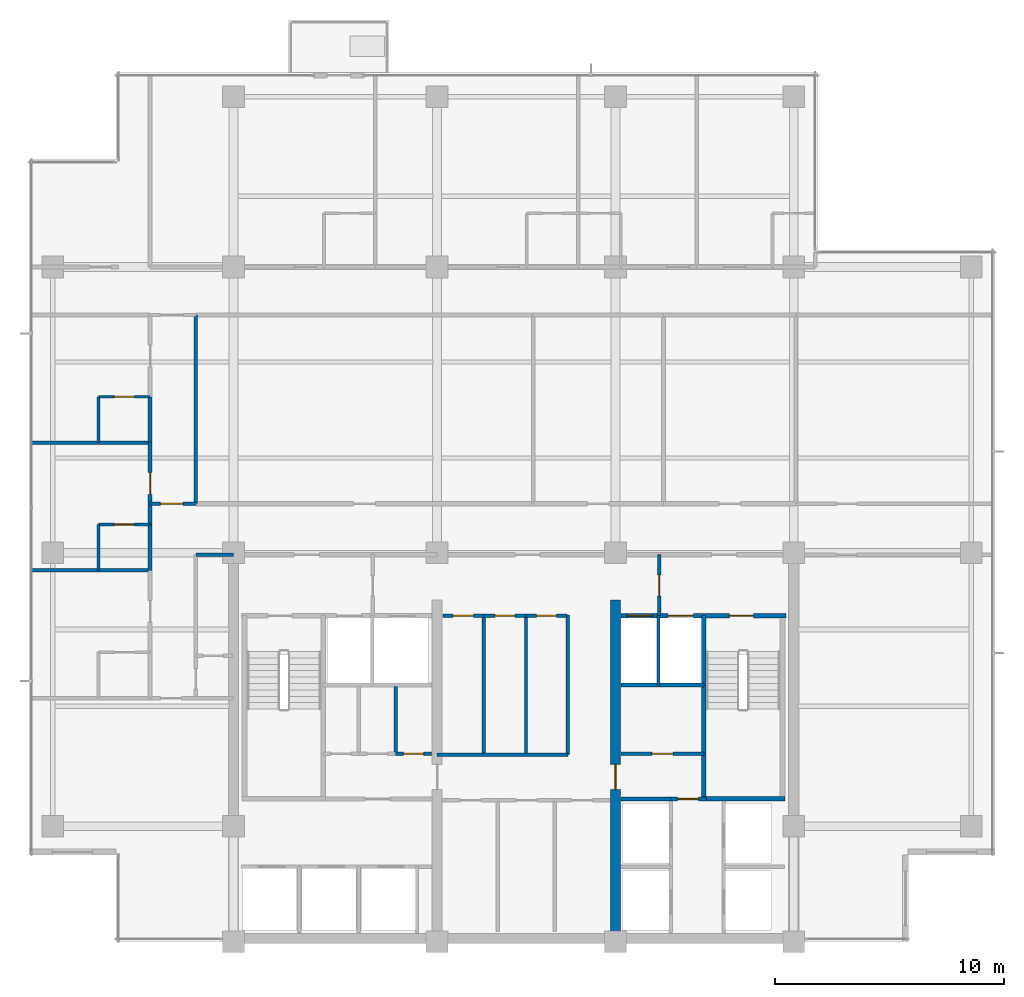
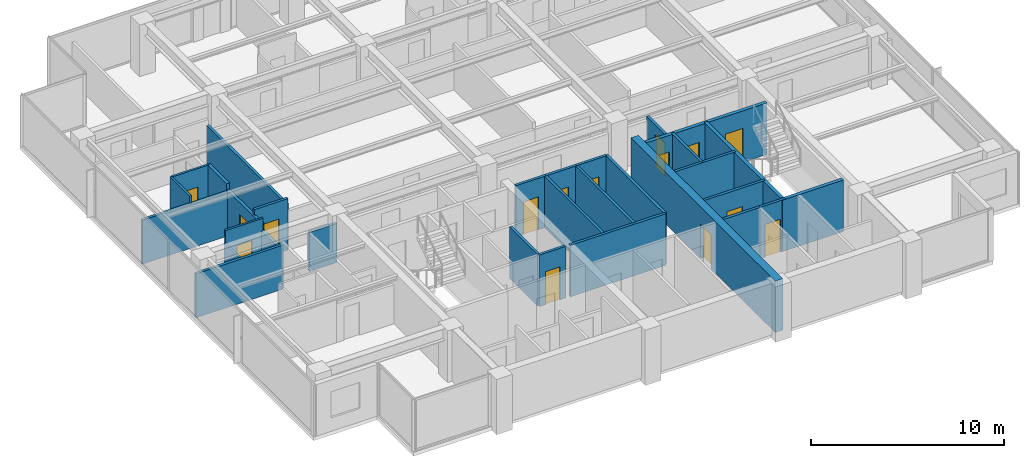
# One storey, part 8 of 14: 31 walls, 15 doors, 15 openings.
"""IFC4 building model written with IfcOpenShell, lengths in metres."""

from ifc_helpers import new_model, si_unit, direction, frame, frame_2d, origin, place, context, subcontext, project, spatial, rectangle, extrude, material, layer, layer_set, type_object, element, fill, save


model = new_model("IFC4")

# Units and contexts
model_context = context("Model", 3, precision=1e-05, world=origin(), true_north=direction((0.0, 1.0)))
body_context = subcontext(model_context, "Body", "Model", "MODEL_VIEW")
ifc_project = project(units=[si_unit("LENGTHUNIT", "METRE"), si_unit("AREAUNIT", "SQUARE_METRE"), si_unit("VOLUMEUNIT", "CUBIC_METRE"), si_unit("PLANEANGLEUNIT", "RADIAN"), si_unit("MASSUNIT", "GRAM", prefix="KILO")], contexts=[model_context])

# Site, building, storey
site_placement = place(None, origin())
site = spatial("IfcSite", under=ifc_project, at=site_placement, CompositionType="ELEMENT")
building_placement = place(site_placement, origin())
building = spatial("IfcBuilding", under=site, at=building_placement, Name="Qalmaran Belvedere Hotel", CompositionType="ELEMENT")
storey_placement = place(building_placement, frame((0.0, 0.0, 200.39990234375)))
storey = spatial("IfcBuildingStorey", under=building, at=storey_placement, Name="L50", CompositionType="ELEMENT", Elevation=200.39990234375)

# Wall, opening, door
ifc_material_1 = material(Name="Concrete C50/60", Category="concrete")
ifc_layer_1 = layer(ifc_material_1, 0.449951171875, Name="Concrete C50/60")
ifc_layer_set_1 = layer_set([ifc_layer_1], Name="Concrete C50/60")
wall_type_1 = type_object("IfcWallType", Name="WL-CORE-450-C50", PredefinedType="SHEAR", material=ifc_layer_set_1)
wall_1_placement = place(storey_placement, frame((37.0, 3.5, 0.0), z_axis=(0.0, 0.0, 1.0), x_axis=(0.0, 1.0, 0.0)))
wall_1 = element("IfcWall", 1, at=wall_1_placement, inside=storey, type_object=wall_type_1, Name="L50 Core East Spine Shear Wall", PredefinedType="SHEAR", context=body_context, shape_type="SweptSolid", body=[
    extrude(rectangle(XDim=14.949951171875, YDim=0.449951171875, at=frame_2d((7.47509765625, 0.0))), origin(), (0.0, 0.0, 1.0), 3.260009765625),
])
opening_1_placement = place(wall_1_placement, frame((6.64990234375, 0.0, 0.0)))
opening_1 = element("IfcOpeningElement", 2, at=opening_1_placement, cuts=wall_1, Name="Opening FD90", PredefinedType="OPENING", context=body_context, shape_type="SweptSolid", body=[
    extrude(rectangle(XDim=1.10009765625, YDim=2.14990234375, at=frame_2d((0.550048828125, 1.074951171875))), frame((0.0, 0.23486328125, 0.0), z_axis=(0.0, -1.0, 0.0), x_axis=(1.0, 0.0, 0.0)), (0.0, 0.0, 1.0), 0.469970703125),
])
ifc_material_2 = material(Name="Steel S355JR", Category="steel")
door_type_1 = type_object("IfcDoorType", Name="DR-FD90-1100X2150", OperationType="NOTDEFINED", PredefinedType="DOOR", material=ifc_material_2)
door_1_placement = place(opening_1_placement, origin())
door_1 = element("IfcDoor", 3, at=door_1_placement, inside=storey, type_object=door_type_1, Name="L50 Core East Cross-Lobby Door", OperationType="SINGLE_SWING_RIGHT", OverallHeight=2.14990234375, OverallWidth=1.10009765625, PredefinedType="DOOR", context=body_context, shape_type="SweptSolid", body=[
    extrude(rectangle(XDim=1.10009765625, YDim=2.14990234375, at=frame_2d((0.550048828125, 1.074951171875))), frame((0.0, 0.02490234375, 0.0), z_axis=(0.0, -1.0, 0.0), x_axis=(1.0, 0.0, 0.0)), (0.0, 0.0, 1.0), 0.050048828125),
])
fill(opening_1, door_1)

ifc_material_3 = material(Name="Moisture-Resistant Gypsum")
ifc_layer_2 = layer(ifc_material_3, 0.1201171875, Name="Moisture-Resistant Gypsum")
ifc_layer_set_2 = layer_set([ifc_layer_2], Name="Moisture-Resistant Gypsum")
wall_type_2 = type_object("IfcWallType", Name="WL-INT-120-BATH", PredefinedType="PARTITIONING", material=ifc_layer_set_2)
wall_2_placement = place(storey_placement, frame((14.39990234375, 21.743408203125, 0.0), z_axis=(0.0, 0.0, 1.0), x_axis=(1.0, 0.0, 0.0)))
wall_2 = element("IfcWall", 4, at=wall_2_placement, inside=storey, type_object=wall_type_2, Name="L50 Partition WL-L50-WBN01", PredefinedType="PARTITIONING", context=body_context, shape_type="SweptSolid", body=[
    extrude(rectangle(XDim=2.25, YDim=0.1201171875, at=frame_2d((1.125, 0.0))), origin(), (0.0, 0.0, 1.0), 3.260009765625),
])
opening_2_placement = place(wall_2_placement, frame((1.56494140625, 0.0, 0.0), z_axis=(0.0, 0.0, 1.0), x_axis=(-1.0, 0.0, 0.0)))
opening_2 = element("IfcOpeningElement", 5, at=opening_2_placement, cuts=wall_2, Name="Opening D-BATH", PredefinedType="OPENING", context=body_context, shape_type="SweptSolid", body=[
    extrude(rectangle(XDim=0.8798828125, YDim=2.080078125, at=frame_2d((0.43994140625, 1.0400390625))), frame((0.0, 0.070068359375, 0.0), z_axis=(0.0, -1.0, 0.0), x_axis=(1.0, 0.0, 0.0)), (0.0, 0.0, 1.0), 0.14013671875),
])
ifc_material_4 = material(Name="Engineered Oak Veneer")
door_type_2 = type_object("IfcDoorType", Name="DR-INT-BATH-880X2080", OperationType="NOTDEFINED", PredefinedType="DOOR", material=ifc_material_4)
door_2_placement = place(opening_2_placement, origin())
door_2 = element("IfcDoor", 6, at=door_2_placement, inside=storey, type_object=door_type_2, Name="L50 W Ensuite Door 02", OperationType="SINGLE_SWING_LEFT", OverallHeight=2.080078125, OverallWidth=0.8798828125, PredefinedType="DOOR", context=body_context, shape_type="SweptSolid", body=[
    extrude(rectangle(XDim=0.8798828125, YDim=2.080078125, at=frame_2d((0.43994140625, 1.0400390625))), frame((0.0, 0.02490234375, 0.0), z_axis=(0.0, -1.0, 0.0), x_axis=(1.0, 0.0, 0.0)), (0.0, 0.0, 1.0), 0.050048828125),
])
fill(opening_2, door_2)

# Wall
wall_3_placement = place(storey_placement, frame((14.39990234375, 19.7333984375, 0.0), z_axis=(0.0, 0.0, 1.0), x_axis=(0.0, 1.0, 0.0)))
element("IfcWall", 7, at=wall_3_placement, inside=storey, type_object=wall_type_2, Name="L50 Partition WL-L50-WBS01", PredefinedType="PARTITIONING", context=body_context, shape_type="SweptSolid", body=[
    extrude(rectangle(XDim=2.010009765625, YDim=0.1201171875, at=frame_2d((1.0048828125, 0.0))), origin(), (0.0, 0.0, 1.0), 2.47216796875),
])

# Wall, opening, door
wall_4_placement = place(storey_placement, frame((14.39990234375, 27.32666015625, 0.0), z_axis=(0.0, 0.0, 1.0), x_axis=(1.0, 0.0, 0.0)))
wall_4 = element("IfcWall", 8, at=wall_4_placement, inside=storey, type_object=wall_type_2, Name="L50 Partition WL-L50-WBN02", PredefinedType="PARTITIONING", context=body_context, shape_type="SweptSolid", body=[
    extrude(rectangle(XDim=2.25, YDim=0.1201171875, at=frame_2d((1.125, 0.0))), origin(), (0.0, 0.0, 1.0), 3.260009765625),
])
opening_3_placement = place(wall_4_placement, frame((1.56494140625, 0.0, 0.0), z_axis=(0.0, 0.0, 1.0), x_axis=(-1.0, 0.0, 0.0)))
opening_3 = element("IfcOpeningElement", 9, at=opening_3_placement, cuts=wall_4, Name="Opening D-BATH", PredefinedType="OPENING", context=body_context, shape_type="SweptSolid", body=[
    extrude(rectangle(XDim=0.8798828125, YDim=2.080078125, at=frame_2d((0.43994140625, 1.0400390625))), frame((0.0, 0.070068359375, 0.0), z_axis=(0.0, -1.0, 0.0), x_axis=(1.0, 0.0, 0.0)), (0.0, 0.0, 1.0), 0.14013671875),
])
door_3_placement = place(opening_3_placement, origin())
door_3 = element("IfcDoor", 10, at=door_3_placement, inside=storey, type_object=door_type_2, Name="L50 W Ensuite Door 03", OperationType="SINGLE_SWING_LEFT", OverallHeight=2.080078125, OverallWidth=0.8798828125, PredefinedType="DOOR", context=body_context, shape_type="SweptSolid", body=[
    extrude(rectangle(XDim=0.8798828125, YDim=2.080078125, at=frame_2d((0.43994140625, 1.0400390625))), frame((0.0, 0.02490234375, 0.0), z_axis=(0.0, -1.0, 0.0), x_axis=(1.0, 0.0, 0.0)), (0.0, 0.0, 1.0), 0.050048828125),
])
fill(opening_3, door_3)

# Walls
wall_5_placement = place(storey_placement, frame((14.39990234375, 25.316650390625, 0.0), z_axis=(0.0, 0.0, 1.0), x_axis=(0.0, 1.0, 0.0)))
element("IfcWall", 11, at=wall_5_placement, inside=storey, type_object=wall_type_2, Name="L50 Partition WL-L50-WBS02", PredefinedType="PARTITIONING", context=body_context, shape_type="SweptSolid", body=[
    extrude(rectangle(XDim=2.010009765625, YDim=0.1201171875, at=frame_2d((1.0048828125, 0.0))), origin(), (0.0, 0.0, 1.0), 3.260009765625),
])
ifc_material_5 = material(Name="Gypsum Stud Partition")
ifc_layer_3 = layer(ifc_material_5, 0.14990234375, Name="Gypsum Stud Partition")
ifc_layer_set_3 = layer_set([ifc_layer_3], Name="Gypsum Stud Partition")
wall_type_3 = type_object("IfcWallType", Name="WL-INT-150-EI120", PredefinedType="PARTITIONING", material=ifc_layer_set_3)
wall_6_placement = place(storey_placement, frame((38.8798828125, 14.719970703125, 0.0), z_axis=(0.0, 0.0, 1.0), x_axis=(0.0, 1.0, 0.0)))
element("IfcWall", 12, at=wall_6_placement, inside=storey, type_object=wall_type_3, Name="L50 Partition WL-FF2M-L50", PredefinedType="PARTITIONING", context=body_context, shape_type="SweptSolid", body=[
    extrude(rectangle(XDim=3.0400390625, YDim=0.14990234375, at=frame_2d((1.52001953125, 0.0))), origin(), (0.0, 0.0, 1.0), 3.260009765625),
])
ifc_layer_4 = layer(ifc_material_5, 0.14990234375, Name="Gypsum Stud Partition")
ifc_layer_set_4 = layer_set([ifc_layer_4], Name="Gypsum Stud Partition")
wall_type_4 = type_object("IfcWallType", Name="WL-INT-150-EI60", PredefinedType="PARTITIONING", material=ifc_layer_set_4)
wall_7_placement = place(storey_placement, frame((27.38916015625, 11.719970703125, 0.0), z_axis=(0.0, 0.0, 1.0), x_axis=(0.0, 1.0, 0.0)))
element("IfcWall", 13, at=wall_7_placement, inside=storey, type_object=wall_type_4, Name="L50 Partition WL-L50-KWV2", PredefinedType="PARTITIONING", context=body_context, shape_type="SweptSolid", body=[
    extrude(rectangle(XDim=2.929931640625, YDim=0.14990234375, at=frame_2d((1.46484375, 0.0))), origin(), (0.0, 0.0, 1.0), 3.260009765625),
])
for number, where, z_axis, x_axis, name in (
    (14, (31.241943359375, 11.739990234375, 0.0), (0.0, 0.0, 1.0), (0.0, 1.0, 0.0), "L50 Partition WL-L50-KPMV1"),
    (15, (33.088134765625, 11.739990234375, 0.0), (0.0, 0.0, 1.0), (0.0, 1.0, 0.0), "L50 Partition WL-L50-KPMV2"),
):
    element("IfcWall", number, at=place(storey_placement, frame(where, z_axis=z_axis, x_axis=x_axis)), inside=storey, type_object=wall_type_4, Name=name, PredefinedType="PARTITIONING", context=body_context, shape_type="SweptSolid", body=[
        extrude(rectangle(XDim=6.010009765625, YDim=0.14990234375, at=frame_2d((3.0048828125, 0.0))), origin(), (0.0, 0.0, 1.0), 3.260009765625),
    ])

# Wall, opening, door
wall_8_placement = place(storey_placement, frame((16.64990234375, 22.64990234375, 0.0), z_axis=(0.0, 0.0, 1.0), x_axis=(1.0, 0.0, 0.0)))
wall_8 = element("IfcWall", 16, at=wall_8_placement, inside=storey, type_object=wall_type_4, Name="L50 Partition WL-L50-XCW1", PredefinedType="PARTITIONING", context=body_context, shape_type="SweptSolid", body=[
    extrude(rectangle(XDim=2.0, YDim=0.14990234375, at=frame_2d((1.0, 0.0))), origin(), (0.0, 0.0, 1.0), 3.260009765625),
])
opening_4_placement = place(wall_8_placement, frame((0.449951171875, 0.0, 0.0)))
opening_4 = element("IfcOpeningElement", 17, at=opening_4_placement, cuts=wall_8, Name="Opening FD90B", PredefinedType="OPENING", context=body_context, shape_type="SweptSolid", body=[
    extrude(rectangle(XDim=1.0, YDim=2.14990234375, at=frame_2d((0.5, 1.074951171875))), frame((0.0, 0.0849609375, 0.0), z_axis=(0.0, -1.0, 0.0), x_axis=(1.0, 0.0, 0.0)), (0.0, 0.0, 1.0), 0.169921875),
])
door_type_3 = type_object("IfcDoorType", Name="DR-FD90B-1000X2150", OperationType="NOTDEFINED", PredefinedType="DOOR", material=ifc_material_2)
door_4_placement = place(opening_4_placement, origin())
door_4 = element("IfcDoor", 18, at=door_4_placement, inside=storey, type_object=door_type_3, Name="L50 West Corridor Smoke Door S", OperationType="SINGLE_SWING_RIGHT", OverallHeight=2.14990234375, OverallWidth=1.0, PredefinedType="DOOR", context=body_context, shape_type="SweptSolid", body=[
    extrude(rectangle(XDim=1.0, YDim=2.14990234375, at=frame_2d((0.5, 1.074951171875))), frame((0.0, 0.02490234375, 0.0), z_axis=(0.0, -1.0, 0.0), x_axis=(1.0, 0.0, 0.0)), (0.0, 0.0, 1.0), 0.050048828125),
])
fill(opening_4, door_4)

ifc_layer_5 = layer(ifc_material_5, 0.159912109375, Name="Gypsum Stud Partition")
ifc_layer_set_5 = layer_set([ifc_layer_5], Name="Gypsum Stud Partition")
wall_type_5 = type_object("IfcWallType", Name="WL-INT-160-EI120", PredefinedType="PARTITIONING", material=ifc_layer_set_5)
wall_9_placement = place(storey_placement, frame((38.919921875, 17.760009765625, 0.0), z_axis=(0.0, 0.0, 1.0), x_axis=(0.0, 1.0, 0.0)))
wall_9 = element("IfcWall", 19, at=wall_9_placement, inside=storey, type_object=wall_type_5, Name="L50 Partition WL-FFSV2-L50", PredefinedType="PARTITIONING", context=body_context, shape_type="SweptSolid", body=[
    extrude(rectangle(XDim=2.659912109375, YDim=0.159912109375, at=frame_2d((1.330078125, 0.0))), origin(), (0.0, 0.0, 1.0), 2.7060546875),
])
opening_5_placement = place(wall_9_placement, frame((1.77001953125, 0.0, 0.0), z_axis=(0.0, 0.0, 1.0), x_axis=(-1.0, 0.0, 0.0)))
opening_5 = element("IfcOpeningElement", 20, at=opening_5_placement, cuts=wall_9, Name="Opening FD60S1", PredefinedType="OPENING", context=body_context, shape_type="SweptSolid", body=[
    extrude(rectangle(XDim=0.919921875, YDim=2.080078125, at=frame_2d((0.4599609375, 1.0400390625))), frame((0.0, 0.08984375, 0.0), z_axis=(0.0, -1.0, 0.0), x_axis=(1.0, 0.0, 0.0)), (0.0, 0.0, 1.0), 0.179931640625),
])
door_type_4 = type_object("IfcDoorType", Name="DR-FD60S-920X2080", OperationType="NOTDEFINED", PredefinedType="DOOR", material=ifc_material_4)
door_5_placement = place(opening_5_placement, origin())
door_5 = element("IfcDoor", 21, at=door_5_placement, inside=storey, type_object=door_type_4, Name="L50 Service Lobby East Door", OperationType="SINGLE_SWING_RIGHT", OverallHeight=2.080078125, OverallWidth=0.919921875, PredefinedType="DOOR", context=body_context, shape_type="SweptSolid", body=[
    extrude(rectangle(XDim=0.919921875, YDim=2.080078125, at=frame_2d((0.4599609375, 1.0400390625))), frame((0.0, 0.02490234375, 0.0), z_axis=(0.0, -1.0, 0.0), x_axis=(1.0, 0.0, 0.0)), (0.0, 0.0, 1.0), 0.050048828125),
])
fill(opening_5, door_5)

# Walls
wall_10_placement = place(storey_placement, frame((37.25, 14.719970703125, 0.0), z_axis=(0.0, 0.0, 1.0), x_axis=(1.0, 0.0, 0.0)))
element("IfcWall", 22, at=wall_10_placement, inside=storey, type_object=wall_type_5, Name="L50 Partition WL-FF2S-L50", PredefinedType="PARTITIONING", context=body_context, shape_type="SweptSolid", body=[
    extrude(rectangle(XDim=3.610107421875, YDim=0.159912109375, at=frame_2d((1.80517578125, 0.0))), origin(), (0.0, 0.0, 1.0), 3.260009765625),
])
wall_11_placement = place(storey_placement, frame((37.25, 9.739990234375, 0.0), z_axis=(0.0, 0.0, 1.0), x_axis=(1.0, 0.0, 0.0)))
element("IfcWall", 23, at=wall_11_placement, inside=storey, type_object=wall_type_5, Name="L50 Partition WL-PHNW-L50", PredefinedType="PARTITIONING", context=body_context, shape_type="SweptSolid", body=[
    extrude(rectangle(XDim=2.169921875, YDim=0.159912109375, at=frame_2d((1.0849609375, 0.0))), origin(), (0.0, 0.0, 1.0), 3.260009765625),
])

# Wall, opening, door
wall_12_placement = place(storey_placement, frame((39.419921875, 9.739990234375, 0.0), z_axis=(0.0, 0.0, 1.0), x_axis=(1.0, 0.0, 0.0)))
wall_12 = element("IfcWall", 24, at=wall_12_placement, inside=storey, type_object=wall_type_5, Name="L50 Partition WL-PHNL-L50", PredefinedType="PARTITIONING", context=body_context, shape_type="SweptSolid", body=[
    extrude(rectangle(XDim=1.56005859375, YDim=0.159912109375, at=frame_2d((0.780029296875, 0.0))), origin(), (0.0, 0.0, 1.0), 3.260009765625),
])
opening_6_placement = place(wall_12_placement, frame((0.300048828125, 0.0, 0.0)))
opening_6 = element("IfcOpeningElement", 25, at=opening_6_placement, cuts=wall_12, Name="Opening FD60S1", PredefinedType="OPENING", context=body_context, shape_type="SweptSolid", body=[
    extrude(rectangle(XDim=0.919921875, YDim=2.080078125, at=frame_2d((0.4599609375, 1.0400390625))), frame((0.0, 0.08984375, 0.0), z_axis=(0.0, -1.0, 0.0), x_axis=(1.0, 0.0, 0.0)), (0.0, 0.0, 1.0), 0.179931640625),
])
door_6_placement = place(opening_6_placement, origin())
door_6 = element("IfcDoor", 26, at=door_6_placement, inside=storey, type_object=door_type_4, Name="L50 High-Rise Lift Lobby Passage Door", OperationType="SINGLE_SWING_LEFT", OverallHeight=2.080078125, OverallWidth=0.919921875, PredefinedType="DOOR", context=body_context, shape_type="SweptSolid", body=[
    extrude(rectangle(XDim=0.919921875, YDim=2.080078125, at=frame_2d((0.4599609375, 1.0400390625))), frame((0.0, 0.02490234375, 0.0), z_axis=(0.0, -1.0, 0.0), x_axis=(1.0, 0.0, 0.0)), (0.0, 0.0, 1.0), 0.050048828125),
])
fill(opening_6, door_6)

ifc_layer_6 = layer(ifc_material_5, 0.159912109375, Name="Gypsum Stud Partition")
ifc_layer_set_6 = layer_set([ifc_layer_6], Name="Gypsum Stud Partition")
wall_type_6 = type_object("IfcWallType", Name="WL-INT-160-EI60", PredefinedType="PARTITIONING", material=ifc_layer_set_6)
wall_13_placement = place(storey_placement, frame((27.38916015625, 11.719970703125, 0.0), z_axis=(0.0, 0.0, 1.0), x_axis=(1.0, 0.0, 0.0)))
wall_13 = element("IfcWall", 27, at=wall_13_placement, inside=storey, type_object=wall_type_6, Name="L50 Partition WL-L50-KWE3", PredefinedType="PARTITIONING", context=body_context, shape_type="SweptSolid", body=[
    extrude(rectangle(XDim=1.560791015625, YDim=0.159912109375, at=frame_2d((0.7802734375, 0.0))), origin(), (0.0, 0.0, 1.0), 3.260009765625),
])
opening_7_placement = place(wall_13_placement, frame((0.340576171875, 0.0, 0.0)))
opening_7 = element("IfcOpeningElement", 28, at=opening_7_placement, cuts=wall_13, Name="Opening FD60B", PredefinedType="OPENING", context=body_context, shape_type="SweptSolid", body=[
    extrude(rectangle(XDim=0.8798828125, YDim=2.080078125, at=frame_2d((0.43994140625, 1.0400390625))), frame((0.0, 0.08984375, 0.0), z_axis=(0.0, -1.0, 0.0), x_axis=(1.0, 0.0, 0.0)), (0.0, 0.0, 1.0), 0.179931640625),
])
door_type_5 = type_object("IfcDoorType", Name="DR-FD60B-880X2080", OperationType="NOTDEFINED", PredefinedType="DOOR", material=ifc_material_2)
door_7_placement = place(opening_7_placement, origin())
door_7 = element("IfcDoor", 29, at=door_7_placement, inside=storey, type_object=door_type_5, Name="L50 Telecom and IT Room Door", OperationType="SINGLE_SWING_RIGHT", OverallHeight=2.080078125, OverallWidth=0.8798828125, PredefinedType="DOOR", context=body_context, shape_type="SweptSolid", body=[
    extrude(rectangle(XDim=0.8798828125, YDim=2.080078125, at=frame_2d((0.43994140625, 1.0400390625))), frame((0.0, 0.02490234375, 0.0), z_axis=(0.0, -1.0, 0.0), x_axis=(1.0, 0.0, 0.0)), (0.0, 0.0, 1.0), 0.050048828125),
])
fill(opening_7, door_7)

wall_14_placement = place(storey_placement, frame((37.25, 11.719970703125, 0.0), z_axis=(0.0, 0.0, 1.0), x_axis=(1.0, 0.0, 0.0)))
wall_14 = element("IfcWall", 30, at=wall_14_placement, inside=storey, type_object=wall_type_6, Name="L50 Partition WL-L50-KEE1", PredefinedType="PARTITIONING", context=body_context, shape_type="SweptSolid", body=[
    extrude(rectangle(XDim=3.610107421875, YDim=0.159912109375, at=frame_2d((1.80517578125, 0.0))), origin(), (0.0, 0.0, 1.0), 3.260009765625),
])
opening_8_placement = place(wall_14_placement, frame((1.344970703125, 0.0, 0.0)))
opening_8 = element("IfcOpeningElement", 31, at=opening_8_placement, cuts=wall_14, Name="Opening FD60S1", PredefinedType="OPENING", context=body_context, shape_type="SweptSolid", body=[
    extrude(rectangle(XDim=0.919921875, YDim=2.080078125, at=frame_2d((0.4599609375, 1.0400390625))), frame((0.0, 0.08984375, 0.0), z_axis=(0.0, -1.0, 0.0), x_axis=(1.0, 0.0, 0.0)), (0.0, 0.0, 1.0), 0.179931640625),
])
door_8_placement = place(opening_8_placement, origin())
door_8 = element("IfcDoor", 32, at=door_8_placement, inside=storey, type_object=door_type_4, Name="L50 Guest Ice and Beverage Pantry Door", OperationType="SINGLE_SWING_LEFT", OverallHeight=2.080078125, OverallWidth=0.919921875, PredefinedType="DOOR", context=body_context, shape_type="SweptSolid", body=[
    extrude(rectangle(XDim=0.919921875, YDim=2.080078125, at=frame_2d((0.4599609375, 1.0400390625))), frame((0.0, 0.02490234375, 0.0), z_axis=(0.0, -1.0, 0.0), x_axis=(1.0, 0.0, 0.0)), (0.0, 0.0, 1.0), 0.050048828125),
])
fill(opening_8, door_8)

# Walls
wall_15_placement = place(storey_placement, frame((34.919921875, 11.679931640625, 0.0), z_axis=(0.0, 0.0, 1.0), x_axis=(0.0, 1.0, 0.0)))
element("IfcWall", 33, at=wall_15_placement, inside=storey, type_object=wall_type_6, Name="L50 Partition WL-CLLV-L50", PredefinedType="PARTITIONING", context=body_context, shape_type="SweptSolid", body=[
    extrude(rectangle(XDim=6.10009765625, YDim=0.159912109375, at=frame_2d((3.050048828125, 0.0))), origin(), (0.0, 0.0, 1.0), 3.260009765625),
])
wall_16_placement = place(storey_placement, frame((29.199951171875, 11.679931640625, 0.0), z_axis=(0.0, 0.0, 1.0), x_axis=(1.0, 0.0, 0.0)))
element("IfcWall", 34, at=wall_16_placement, inside=storey, type_object=wall_type_6, Name="L50 Partition WL-PMFS-L50", PredefinedType="PARTITIONING", context=body_context, shape_type="SweptSolid", body=[
    extrude(rectangle(XDim=5.719970703125, YDim=0.159912109375, at=frame_2d((2.85986328125, 0.0))), origin(), (0.0, 0.0, 1.0), 3.260009765625),
])

# Wall, opening, door
wall_17_placement = place(storey_placement, frame((29.449951171875, 17.75, 0.0), z_axis=(0.0, 0.0, 1.0), x_axis=(1.0, 0.0, 0.0)))
wall_17 = element("IfcWall", 35, at=wall_17_placement, inside=storey, type_object=wall_type_6, Name="L50 Partition WL-L50-KPME1", PredefinedType="PARTITIONING", context=body_context, shape_type="SweptSolid", body=[
    extrude(rectangle(XDim=1.7919921875, YDim=0.159912109375, at=frame_2d((0.89599609375, 0.0))), origin(), (0.0, 0.0, 1.0), 3.260009765625),
])
opening_9_placement = place(wall_17_placement, frame((1.3359375, 0.0, 0.0), z_axis=(0.0, 0.0, 1.0), x_axis=(-1.0, 0.0, 0.0)))
opening_9 = element("IfcOpeningElement", 36, at=opening_9_placement, cuts=wall_17, Name="Opening FD60B", PredefinedType="OPENING", context=body_context, shape_type="SweptSolid", body=[
    extrude(rectangle(XDim=0.8798828125, YDim=2.080078125, at=frame_2d((0.43994140625, 1.0400390625))), frame((0.0, 0.08984375, 0.0), z_axis=(0.0, -1.0, 0.0), x_axis=(1.0, 0.0, 0.0)), (0.0, 0.0, 1.0), 0.179931640625),
])
door_9_placement = place(opening_9_placement, origin())
door_9 = element("IfcDoor", 37, at=door_9_placement, inside=storey, type_object=door_type_5, Name="L50 Executive Butler Pantry Door", OperationType="SINGLE_SWING_LEFT", OverallHeight=2.080078125, OverallWidth=0.8798828125, PredefinedType="DOOR", context=body_context, shape_type="SweptSolid", body=[
    extrude(rectangle(XDim=0.8798828125, YDim=2.080078125, at=frame_2d((0.43994140625, 1.0400390625))), frame((0.0, 0.02490234375, 0.0), z_axis=(0.0, -1.0, 0.0), x_axis=(1.0, 0.0, 0.0)), (0.0, 0.0, 1.0), 0.050048828125),
])
fill(opening_9, door_9)

wall_18_placement = place(storey_placement, frame((31.241943359375, 17.75, 0.0), z_axis=(0.0, 0.0, 1.0), x_axis=(1.0, 0.0, 0.0)))
wall_18 = element("IfcWall", 38, at=wall_18_placement, inside=storey, type_object=wall_type_6, Name="L50 Partition WL-L50-KPME2", PredefinedType="PARTITIONING", context=body_context, shape_type="SweptSolid", body=[
    extrude(rectangle(XDim=1.84619140625, YDim=0.159912109375, at=frame_2d((0.923095703125, 0.0))), origin(), (0.0, 0.0, 1.0), 3.260009765625),
])
opening_10_placement = place(wall_18_placement, frame((1.363037109375, 0.0, 0.0), z_axis=(0.0, 0.0, 1.0), x_axis=(-1.0, 0.0, 0.0)))
opening_10 = element("IfcOpeningElement", 39, at=opening_10_placement, cuts=wall_18, Name="Opening FD60B", PredefinedType="OPENING", context=body_context, shape_type="SweptSolid", body=[
    extrude(rectangle(XDim=0.8798828125, YDim=2.080078125, at=frame_2d((0.43994140625, 1.0400390625))), frame((0.0, 0.08984375, 0.0), z_axis=(0.0, -1.0, 0.0), x_axis=(1.0, 0.0, 0.0)), (0.0, 0.0, 1.0), 0.179931640625),
])
door_10_placement = place(opening_10_placement, origin())
door_10 = element("IfcDoor", 40, at=door_10_placement, inside=storey, type_object=door_type_5, Name="L50 Floor Linen Supply Store Door", OperationType="SINGLE_SWING_RIGHT", OverallHeight=2.080078125, OverallWidth=0.8798828125, PredefinedType="DOOR", context=body_context, shape_type="SweptSolid", body=[
    extrude(rectangle(XDim=0.8798828125, YDim=2.080078125, at=frame_2d((0.43994140625, 1.0400390625))), frame((0.0, 0.02490234375, 0.0), z_axis=(0.0, -1.0, 0.0), x_axis=(1.0, 0.0, 0.0)), (0.0, 0.0, 1.0), 0.050048828125),
])
fill(opening_10, door_10)

wall_19_placement = place(storey_placement, frame((33.088134765625, 17.75, 0.0), z_axis=(0.0, 0.0, 1.0), x_axis=(1.0, 0.0, 0.0)))
wall_19 = element("IfcWall", 41, at=wall_19_placement, inside=storey, type_object=wall_type_6, Name="L50 Partition WL-L50-KPME3", PredefinedType="PARTITIONING", context=body_context, shape_type="SweptSolid", body=[
    extrude(rectangle(XDim=1.791748046875, YDim=0.159912109375, at=frame_2d((0.89599609375, 0.0))), origin(), (0.0, 0.0, 1.0), 3.260009765625),
])
opening_11_placement = place(wall_19_placement, frame((1.3359375, 0.0, 0.0), z_axis=(0.0, 0.0, 1.0), x_axis=(-1.0, 0.0, 0.0)))
opening_11 = element("IfcOpeningElement", 42, at=opening_11_placement, cuts=wall_19, Name="Opening FD60B", PredefinedType="OPENING", context=body_context, shape_type="SweptSolid", body=[
    extrude(rectangle(XDim=0.8798828125, YDim=2.080078125, at=frame_2d((0.43994140625, 1.0400390625))), frame((0.0, 0.08984375, 0.0), z_axis=(0.0, -1.0, 0.0), x_axis=(1.0, 0.0, 0.0)), (0.0, 0.0, 1.0), 0.179931640625),
])
door_11_placement = place(opening_11_placement, origin())
door_11 = element("IfcDoor", 43, at=door_11_placement, inside=storey, type_object=door_type_5, Name="L50 Core Tableware Store Door", OperationType="SINGLE_SWING_LEFT", OverallHeight=2.080078125, OverallWidth=0.8798828125, PredefinedType="DOOR", context=body_context, shape_type="SweptSolid", body=[
    extrude(rectangle(XDim=0.8798828125, YDim=2.080078125, at=frame_2d((0.43994140625, 1.0400390625))), frame((0.0, 0.02490234375, 0.0), z_axis=(0.0, -1.0, 0.0), x_axis=(1.0, 0.0, 0.0)), (0.0, 0.0, 1.0), 0.050048828125),
])
fill(opening_11, door_11)

# Walls
wall_20_placement = place(storey_placement, frame((18.64990234375, 20.419921875, 0.0), z_axis=(0.0, 0.0, 1.0), x_axis=(1.0, 0.0, 0.0)))
element("IfcWall", 44, at=wall_20_placement, inside=storey, type_object=wall_type_6, Name="L50 Partition WL-L50-WCLN", PredefinedType="PARTITIONING", context=body_context, shape_type="SweptSolid", body=[
    extrude(rectangle(XDim=1.650146484375, YDim=0.159912109375, at=frame_2d((0.8251953125, 0.0))), origin(), (0.0, 0.0, 1.0), 2.47216796875),
])
wall_21_placement = place(storey_placement, frame((18.64990234375, 22.64990234375, 0.0), z_axis=(0.0, 0.0, 1.0), x_axis=(0.0, 1.0, 0.0)))
element("IfcWall", 45, at=wall_21_placement, inside=storey, type_object=wall_type_6, Name="L50 Partition WL-L50-MIDVL", PredefinedType="PARTITIONING", context=body_context, shape_type="SweptSolid", body=[
    extrude(rectangle(XDim=8.25, YDim=0.159912109375, at=frame_2d((4.125, 0.0))), origin(), (0.0, 0.0, 1.0), 2.88720703125),
])
for number, where, z_axis, x_axis, name in (
    (46, (11.469970703125, 19.7333984375, 0.0), (0.0, 0.0, 1.0), (1.0, 0.0, 0.0), "L50 Partition WL-L50-WU00"),
    (47, (11.469970703125, 25.316650390625, 0.0), (0.0, 0.0, 1.0), (1.0, 0.0, 0.0), "L50 Partition WL-L50-WU01"),
):
    element("IfcWall", number, at=place(storey_placement, frame(where, z_axis=z_axis, x_axis=x_axis)), inside=storey, type_object=wall_type_6, Name=name, PredefinedType="PARTITIONING", context=body_context, shape_type="SweptSolid", body=[
        extrude(rectangle(XDim=5.179931640625, YDim=0.159912109375, at=frame_2d((2.58984375, 0.0))), origin(), (0.0, 0.0, 1.0), 2.781982421875),
    ])
ifc_layer_7 = layer(ifc_material_5, 0.179931640625, Name="Gypsum Stud Partition")
ifc_layer_set_7 = layer_set([ifc_layer_7], Name="Gypsum Stud Partition")
wall_type_7 = type_object("IfcWallType", Name="WL-INT-180-EI60", PredefinedType="PARTITIONING", material=ifc_layer_set_7)
wall_22_placement = place(storey_placement, frame((16.64990234375, 19.7333984375, 0.0), z_axis=(0.0, 0.0, 1.0), x_axis=(0.0, 1.0, 0.0)))
element("IfcWall", 48, at=wall_22_placement, inside=storey, type_object=wall_type_7, Name="L50 Partition WL-L50-WBC01", PredefinedType="PARTITIONING", context=body_context, shape_type="SweptSolid", body=[
    extrude(rectangle(XDim=2.010009765625, YDim=0.179931640625, at=frame_2d((1.0048828125, 0.0))), origin(), (0.0, 0.0, 1.0), 2.47216796875),
])

# Wall, opening, door
wall_23_placement = place(storey_placement, frame((16.64990234375, 21.743408203125, 0.0), z_axis=(0.0, 0.0, 1.0), x_axis=(0.0, 1.0, 0.0)))
wall_23 = element("IfcWall", 49, at=wall_23_placement, inside=storey, type_object=wall_type_7, Name="L50 Partition WL-L50-WEC01", PredefinedType="PARTITIONING", context=body_context, shape_type="SweptSolid", body=[
    extrude(rectangle(XDim=3.5732421875, YDim=0.179931640625, at=frame_2d((1.78662109375, 0.0))), origin(), (0.0, 0.0, 1.0), 2.88720703125),
])
opening_12_placement = place(wall_23_placement, frame((1.311767578125, 0.0, 0.0)))
opening_12 = element("IfcOpeningElement", 50, at=opening_12_placement, cuts=wall_23, Name="Opening FD60", PredefinedType="OPENING", context=body_context, shape_type="SweptSolid", body=[
    extrude(rectangle(XDim=0.949951171875, YDim=2.14990234375, at=frame_2d((0.47509765625, 1.074951171875))), frame((0.0, 0.10009765625, 0.0), z_axis=(0.0, -1.0, 0.0), x_axis=(1.0, 0.0, 0.0)), (0.0, 0.0, 1.0), 0.199951171875),
])
door_type_6 = type_object("IfcDoorType", Name="DR-FD60-950X2150", OperationType="NOTDEFINED", PredefinedType="DOOR", material=ifc_material_4)
door_12_placement = place(opening_12_placement, origin())
door_12 = element("IfcDoor", 51, at=door_12_placement, inside=storey, type_object=door_type_6, Name="L50 W Wing Door 02", OperationType="SINGLE_SWING_RIGHT", OverallHeight=2.14990234375, OverallWidth=0.949951171875, PredefinedType="DOOR", context=body_context, shape_type="SweptSolid", body=[
    extrude(rectangle(XDim=0.949951171875, YDim=2.14990234375, at=frame_2d((0.47509765625, 1.074951171875))), frame((0.0, 0.02490234375, 0.0), z_axis=(0.0, -1.0, 0.0), x_axis=(1.0, 0.0, 0.0)), (0.0, 0.0, 1.0), 0.050048828125),
])
fill(opening_12, door_12)

# Walls
wall_24_placement = place(storey_placement, frame((16.64990234375, 25.316650390625, 0.0), z_axis=(0.0, 0.0, 1.0), x_axis=(0.0, 1.0, 0.0)))
element("IfcWall", 52, at=wall_24_placement, inside=storey, type_object=wall_type_7, Name="L50 Partition WL-L50-WBC02", PredefinedType="PARTITIONING", context=body_context, shape_type="SweptSolid", body=[
    extrude(rectangle(XDim=2.010009765625, YDim=0.179931640625, at=frame_2d((1.0048828125, 0.0))), origin(), (0.0, 0.0, 1.0), 3.260009765625),
])
ifc_layer_8 = layer(ifc_material_1, 0.2099609375, Name="Concrete C50/60")
ifc_layer_set_8 = layer_set([ifc_layer_8], Name="Concrete C50/60")
wall_type_8 = type_object("IfcWallType", Name="WL-STAIR-210-C50", PredefinedType="SHEAR", material=ifc_layer_set_8)
wall_25_placement = place(storey_placement, frame((40.85498046875, 9.7451171875, 0.0), z_axis=(0.0, 0.0, 1.0), x_axis=(0.0, 1.0, 0.0)))
element("IfcWall", 53, at=wall_25_placement, inside=storey, type_object=wall_type_8, Name="L50 Stair ST-2 West Bearing Wall", PredefinedType="SHEAR", context=body_context, shape_type="SweptSolid", body=[
    extrude(rectangle(XDim=8.009765625, YDim=0.2099609375, at=frame_2d((4.0048828125, 0.0))), origin(), (0.0, 0.0, 1.0), 3.260009765625),
])
wall_26_placement = place(storey_placement, frame((40.75, 9.7451171875, 0.0), z_axis=(0.0, 0.0, 1.0), x_axis=(1.0, 0.0, 0.0)))
element("IfcWall", 54, at=wall_26_placement, inside=storey, type_object=wall_type_8, Name="L50 Stair ST-2 South Bearing Wall", PredefinedType="SHEAR", context=body_context, shape_type="SweptSolid", body=[
    extrude(rectangle(XDim=3.659912109375, YDim=0.2099609375, at=frame_2d((1.830078125, 0.0))), origin(), (0.0, 0.0, 1.0), 3.260009765625),
])

# Wall, openings, doors
wall_27_placement = place(storey_placement, frame((37.25, 17.7548828125, 0.0), z_axis=(0.0, 0.0, 1.0), x_axis=(1.0, 0.0, 0.0)))
wall_27 = element("IfcWall", 55, at=wall_27_placement, inside=storey, type_object=wall_type_8, Name="L50 East Lobby and Stair ST-2 North Bearing Wall", PredefinedType="SHEAR", context=body_context, shape_type="SweptSolid", body=[
    extrude(rectangle(XDim=7.199951171875, YDim=0.2099609375, at=frame_2d((3.60009765625, 0.0))), origin(), (0.0, 0.0, 1.0), 3.260009765625),
])
opening_13_placement = place(wall_27_placement, frame((0.25, 0.0, 0.0)))
opening_13 = element("IfcOpeningElement", 56, at=opening_13_placement, cuts=wall_27, Name="Opening LD-SV", PredefinedType="OPENING", context=body_context, shape_type="SweptSolid", body=[
    extrude(rectangle(XDim=1.1201171875, YDim=2.199951171875, at=frame_2d((0.56005859375, 1.10009765625))), frame((0.0, 0.114990234375, 0.0), z_axis=(0.0, -1.0, 0.0), x_axis=(1.0, 0.0, 0.0)), (0.0, 0.0, 1.0), 0.22998046875),
])
opening_14_placement = place(wall_27_placement, frame((2.050048828125, 0.0, 0.0)))
opening_14 = element("IfcOpeningElement", 57, at=opening_14_placement, cuts=wall_27, Name="Opening LD-FF", PredefinedType="OPENING", context=body_context, shape_type="SweptSolid", body=[
    extrude(rectangle(XDim=1.10009765625, YDim=2.179931640625, at=frame_2d((0.550048828125, 1.08984375))), frame((0.0, 0.114990234375, 0.0), z_axis=(0.0, -1.0, 0.0), x_axis=(1.0, 0.0, 0.0)), (0.0, 0.0, 1.0), 0.22998046875),
])
opening_15_placement = place(wall_27_placement, frame((5.780029296875, 0.0, 0.0), z_axis=(0.0, 0.0, 1.0), x_axis=(-1.0, 0.0, 0.0)))
opening_15 = element("IfcOpeningElement", 58, at=opening_15_placement, cuts=wall_27, Name="Opening FD90S2", PredefinedType="OPENING", context=body_context, shape_type="SweptSolid", body=[
    extrude(rectangle(XDim=1.050048828125, YDim=2.14990234375, at=frame_2d((0.52490234375, 1.074951171875))), frame((0.0, 0.114990234375, 0.0), z_axis=(0.0, -1.0, 0.0), x_axis=(1.0, 0.0, 0.0)), (0.0, 0.0, 1.0), 0.22998046875),
])
door_type_7 = type_object("IfcDoorType", Name="DR-FD90S-1050X2150", OperationType="NOTDEFINED", PredefinedType="DOOR", material=ifc_material_2)
door_13_placement = place(opening_15_placement, origin())
door_13 = element("IfcDoor", 59, at=door_13_placement, inside=storey, type_object=door_type_7, Name="L50 Stair ST-2 Door", OperationType="SINGLE_SWING_RIGHT", OverallHeight=2.14990234375, OverallWidth=1.050048828125, PredefinedType="DOOR", context=body_context, shape_type="SweptSolid", body=[
    extrude(rectangle(XDim=1.050048828125, YDim=2.14990234375, at=frame_2d((0.52490234375, 1.074951171875))), frame((0.0, 0.02490234375, 0.0), z_axis=(0.0, -1.0, 0.0), x_axis=(1.0, 0.0, 0.0)), (0.0, 0.0, 1.0), 0.050048828125),
])
fill(opening_15, door_13)
ifc_material_6 = material(Name="Stainless Steel 1.4401", Category="steel")
door_type_8 = type_object("IfcDoorType", Name="DR-LIFT-FF-1100X2180", OperationType="DOUBLE_DOOR_SLIDING", PredefinedType="DOOR", material=ifc_material_6)
door_14_placement = place(opening_14_placement, origin())
door_14 = element("IfcDoor", 60, at=door_14_placement, inside=storey, type_object=door_type_8, Name="L50 FF2 Lift Landing Door", OperationType="DOUBLE_DOOR_SLIDING", OverallHeight=2.179931640625, OverallWidth=1.10009765625, PredefinedType="DOOR", context=body_context, shape_type="SweptSolid", body=[
    extrude(rectangle(XDim=1.10009765625, YDim=2.179931640625, at=frame_2d((0.550048828125, 1.08984375))), frame((0.0, 0.02490234375, 0.0), z_axis=(0.0, -1.0, 0.0), x_axis=(1.0, 0.0, 0.0)), (0.0, 0.0, 1.0), 0.050048828125),
])
fill(opening_14, door_14)
door_type_9 = type_object("IfcDoorType", Name="DR-LIFT-SV-1120X2200", OperationType="DOUBLE_DOOR_SLIDING", PredefinedType="DOOR", material=ifc_material_6)
door_15_placement = place(opening_13_placement, origin())
door_15 = element("IfcDoor", 61, at=door_15_placement, inside=storey, type_object=door_type_9, Name="L50 SV2 Lift Landing Door", OperationType="DOUBLE_DOOR_SLIDING", OverallHeight=2.199951171875, OverallWidth=1.1201171875, PredefinedType="DOOR", context=body_context, shape_type="SweptSolid", body=[
    extrude(rectangle(XDim=1.1201171875, YDim=2.199951171875, at=frame_2d((0.56005859375, 1.10009765625))), frame((0.0, 0.02490234375, 0.0), z_axis=(0.0, -1.0, 0.0), x_axis=(1.0, 0.0, 0.0)), (0.0, 0.0, 1.0), 0.050048828125),
])
fill(opening_13, door_15)

save(model, "model.ifc")
